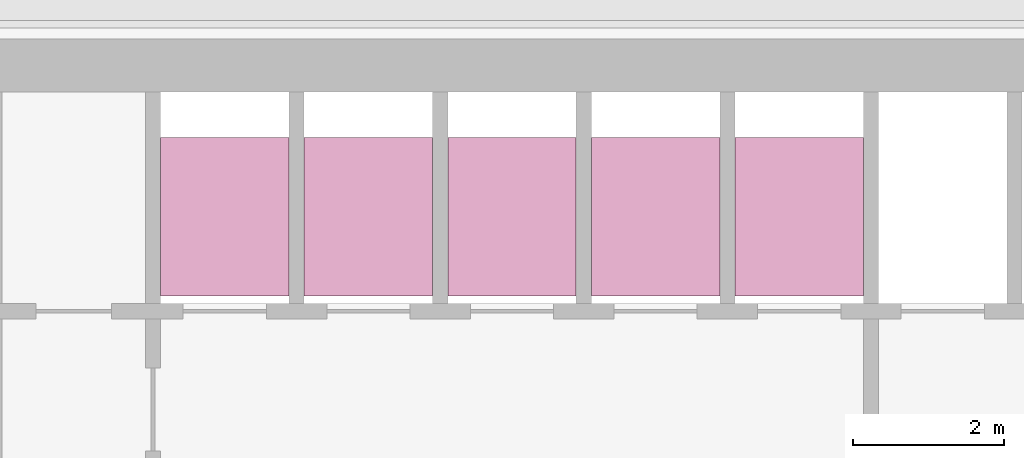
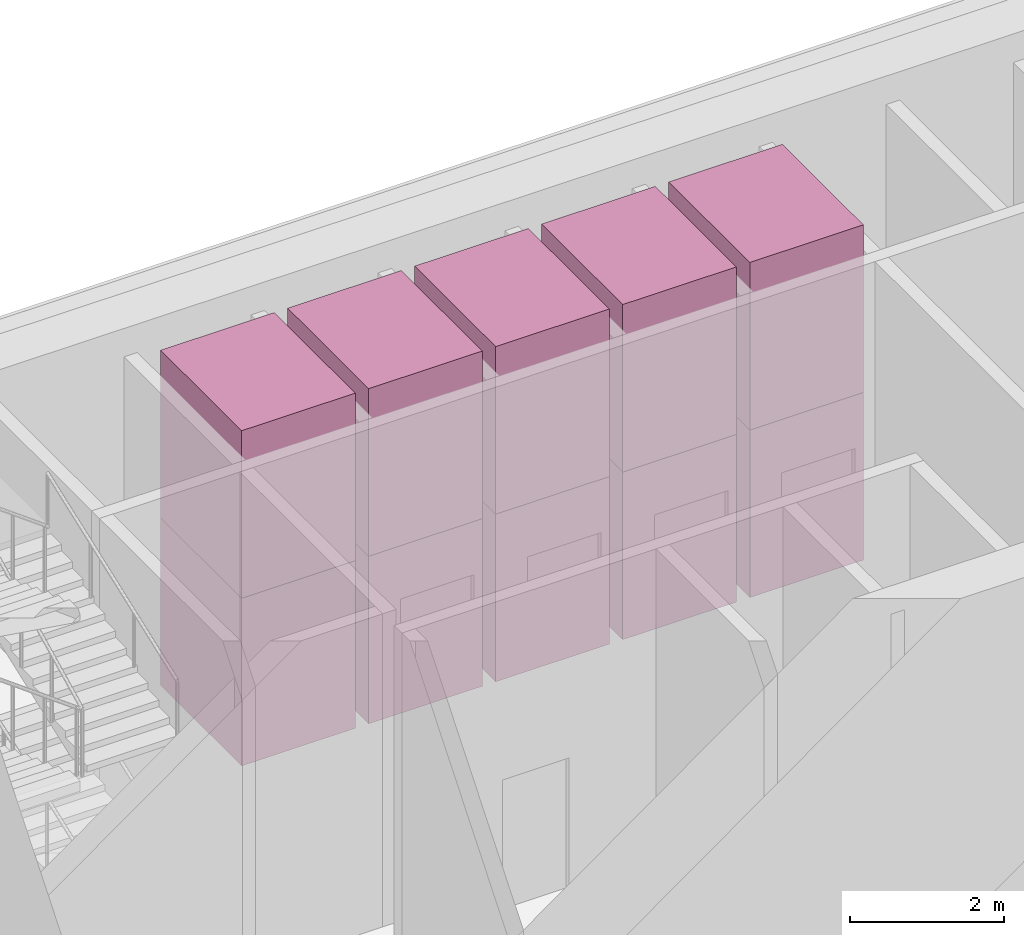
# One storey, part 14 of 14: 10 transport elements.
"""IFC4 building model written with IfcOpenShell, lengths in metres."""

from ifc_helpers import new_model, si_unit, direction, frame, origin, origin_2d, place, context, subcontext, project, spatial, rectangle, extrude, material, type_object, element, save


model = new_model("IFC4")

# Units and contexts
model_context = context("Model", 3, precision=1e-05, world=origin(), true_north=direction((0.0, 1.0)))
body_context = subcontext(model_context, "Body", "Model", "MODEL_VIEW")
ifc_project = project(units=[si_unit("LENGTHUNIT", "METRE"), si_unit("AREAUNIT", "SQUARE_METRE"), si_unit("VOLUMEUNIT", "CUBIC_METRE"), si_unit("PLANEANGLEUNIT", "RADIAN"), si_unit("MASSUNIT", "GRAM", prefix="KILO")], contexts=[model_context])

# Site, building, storey
site_placement = place(None, origin())
site = spatial("IfcSite", under=ifc_project, at=site_placement, CompositionType="ELEMENT")
building_placement = place(site_placement, origin())
building = spatial("IfcBuilding", under=site, at=building_placement, Name="Altiplano Prism Tower", CompositionType="ELEMENT")
storey_placement = place(building_placement, frame((0.0, 0.0, 189.0)))
storey = spatial("IfcBuildingStorey", under=building, at=storey_placement, Name="L49", CompositionType="ELEMENT", Elevation=189.0)

# Transport elements
ifc_material = material(Name="Stainless steel lift car", Category="steel")
transport_element_type = type_object("IfcTransportElementType", Name="Passenger lift car 1600 x 2100", PredefinedType="ELEVATOR", material=ifc_material)
for number, where, z_axis, x_axis, name in (
    (1, (79.050048828125, 101.75, 0.050048828125), (0.0, 0.0, 1.0), (1.0, 0.0, 0.0), "Mid Zone Passenger Lift 1"),
    (2, (79.050048828125, 101.75, 2.699951171875), (0.0, 0.0, 1.0), (1.0, 0.0, 0.0), "Mid Zone Passenger Lift 1"),
    (3, (80.949951171875, 101.75, 0.050048828125), (0.0, 0.0, 1.0), (1.0, 0.0, 0.0), "Mid Zone Passenger Lift 2"),
    (4, (80.949951171875, 101.75, 2.699951171875), (0.0, 0.0, 1.0), (1.0, 0.0, 0.0), "Mid Zone Passenger Lift 2"),
    (5, (82.85009765625, 101.75, 0.050048828125), (0.0, 0.0, 1.0), (1.0, 0.0, 0.0), "Mid Zone Passenger Lift 3"),
    (6, (82.85009765625, 101.75, 2.699951171875), (0.0, 0.0, 1.0), (1.0, 0.0, 0.0), "Mid Zone Passenger Lift 3"),
    (7, (84.75, 101.75, 0.050048828125), (0.0, 0.0, 1.0), (1.0, 0.0, 0.0), "Mid Zone Passenger Lift 4"),
    (8, (84.75, 101.75, 2.699951171875), (0.0, 0.0, 1.0), (1.0, 0.0, 0.0), "Mid Zone Passenger Lift 4"),
    (9, (86.64990234375, 101.75, 0.050048828125), (0.0, 0.0, 1.0), (1.0, 0.0, 0.0), "Mid Zone Passenger Lift 5"),
    (10, (86.64990234375, 101.75, 2.699951171875), (0.0, 0.0, 1.0), (1.0, 0.0, 0.0), "Mid Zone Passenger Lift 5"),
):
    element("IfcTransportElement", number, at=place(storey_placement, frame(where, z_axis=z_axis, x_axis=x_axis)), inside=storey, type_object=transport_element_type, Name=name, PredefinedType="ELEVATOR", context=body_context, shape_type="SweptSolid", body=[
        extrude(rectangle(XDim=1.699951171875, YDim=2.10009765625, at=origin_2d()), origin(), (0.0, 0.0, 1.0), 2.64990234375),
    ])

save(model, "model.ifc")
